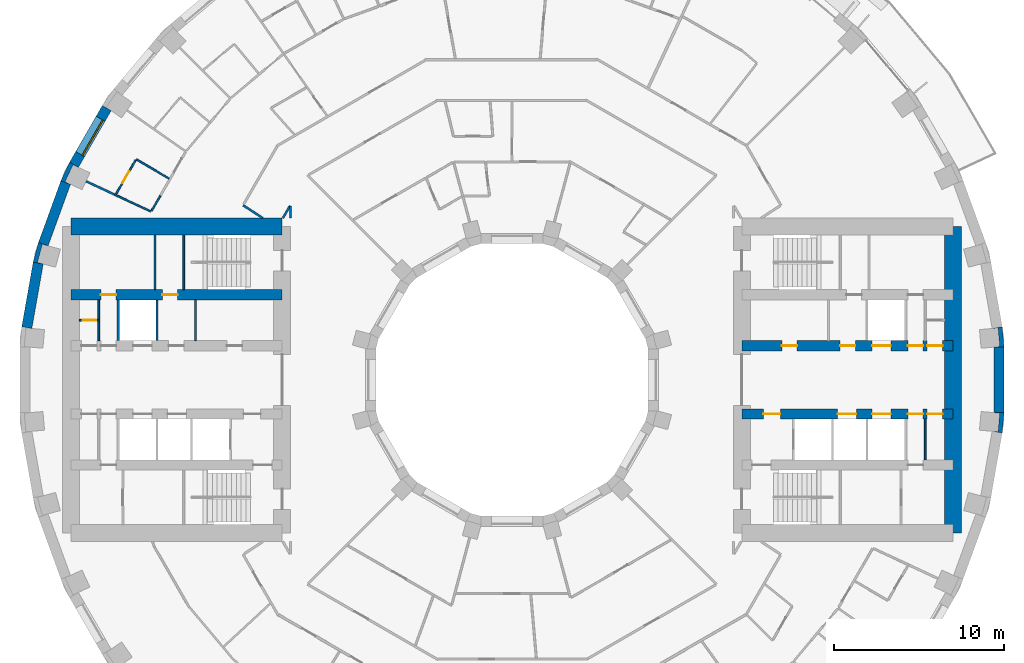
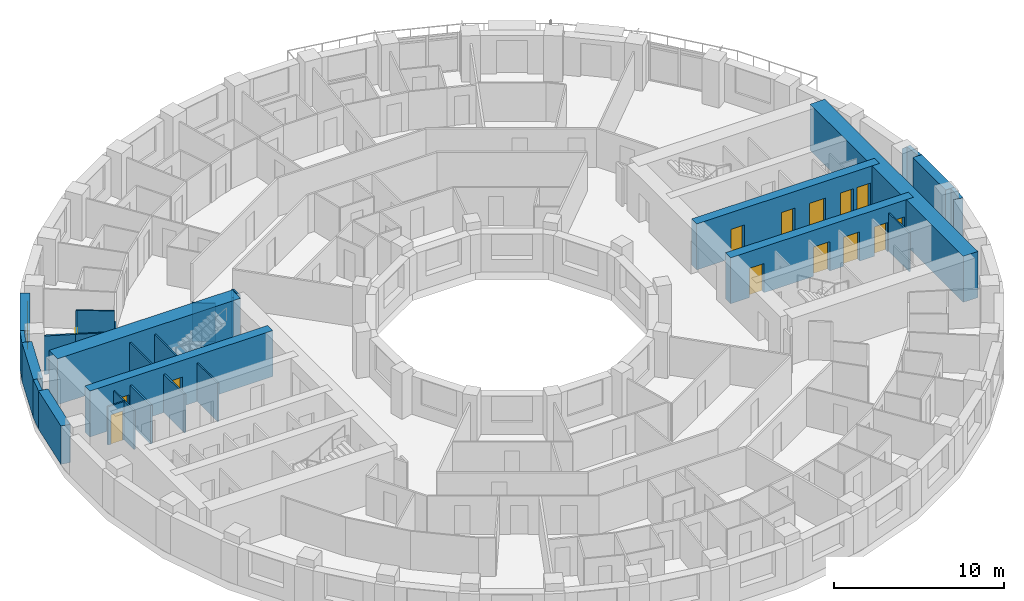
# One storey, part 9 of 15: 29 walls, 14 doors, 1 window, 15 openings.
"""IFC4 building model written with IfcOpenShell, lengths in metres."""

from ifc_helpers import new_model, si_unit, direction, frame, frame_2d, origin, place, context, subcontext, project, spatial, polyline, rectangle, outline, extrude, material, layer, layer_set, type_object, element, fill, save


model = new_model("IFC4")

# Units and contexts
model_context = context("Model", 3, precision=1e-05, world=origin(), true_north=direction((0.0, 1.0)))
body_context = subcontext(model_context, "Body", "Model", "MODEL_VIEW")
ifc_project = project(units=[si_unit("LENGTHUNIT", "METRE"), si_unit("AREAUNIT", "SQUARE_METRE"), si_unit("VOLUMEUNIT", "CUBIC_METRE"), si_unit("PLANEANGLEUNIT", "RADIAN"), si_unit("MASSUNIT", "GRAM", prefix="KILO")], contexts=[model_context])

# Site, building, storey
site_placement = place(None, origin())
site = spatial("IfcSite", under=ifc_project, at=site_placement, CompositionType="ELEMENT")
building_placement = place(site_placement, origin())
building = spatial("IfcBuilding", under=site, at=building_placement, Name="Saqina Gate Tower", CompositionType="ELEMENT")
storey_placement = place(building_placement, frame((0.0, 0.0, 69.199951171875)))
storey = spatial("IfcBuildingStorey", under=building, at=storey_placement, Name="L19", CompositionType="ELEMENT", Elevation=69.199951171875)

# Walls
ifc_material_1 = material(Name="Brick masonry (red)", Category="masonry")
wall_type_1 = type_object("IfcWallType", Name="BRICK PIER COPING RED", PredefinedType="SOLIDWALL", material=ifc_material_1)
wall_1_placement = place(storey_placement, origin())
element("IfcWall", 1, at=wall_1_placement, inside=storey, type_object=wall_type_1, Name="Pier cap L19 column 1", PredefinedType="SOLIDWALL", context=body_context, shape_type="SweptSolid", body=[
    extrude(outline(polyline([(28.8896484375, 1.9228515625), (28.78466796875, 3.122802734375), (28.19384765625, 3.018798828125), (28.54296875, 3.04931640625), (28.638671875, 1.95361328125), (28.28955078125, 1.9228515625), (28.8896484375, 1.9228515625)])), origin(), (0.0, 0.0, 1.0), 2.75),
])
wall_2_placement = place(storey_placement, origin())
element("IfcWall", 2, at=wall_2_placement, inside=storey, type_object=wall_type_1, Name="Pier cap L19 column 16", PredefinedType="SOLIDWALL", context=body_context, shape_type="SweptSolid", body=[
    extrude(outline(polyline([(-26.48974609375, 11.687744140625), (-25.92578125, 11.482666015625), (-26.243408203125, 11.630615234375), (-25.778564453125, 12.627685546875), (-25.4609375, 12.4794921875), (-25.980712890625, 12.779541015625), (-26.48974609375, 11.687744140625)])), origin(), (0.0, 0.0, 1.0), 2.75),
])
wall_3_placement = place(storey_placement, origin())
element("IfcWall", 3, at=wall_3_placement, inside=storey, type_object=wall_type_1, Name="Pier cap L19 column 17", PredefinedType="SOLIDWALL", context=body_context, shape_type="SweptSolid", body=[
    extrude(outline(polyline([(-28.11669921875, 6.910400390625), (-27.52587890625, 6.80615234375), (-27.864501953125, 6.896728515625), (-27.57958984375, 7.95947265625), (-27.2412109375, 7.86865234375), (-27.80517578125, 8.073974609375), (-28.11669921875, 6.910400390625)])), origin(), (0.0, 0.0, 1.0), 2.75),
])
wall_4_placement = place(storey_placement, origin())
element("IfcWall", 4, at=wall_4_placement, inside=storey, type_object=wall_type_1, Name="Pier cap L19 column 36", PredefinedType="SOLIDWALL", context=body_context, shape_type="SweptSolid", body=[
    extrude(outline(polyline([(28.78466796875, -3.122802734375), (28.8896484375, -1.9228515625), (28.28955078125, -1.9228515625), (28.638671875, -1.95361328125), (28.54296875, -3.04931640625), (28.19384765625, -3.018798828125), (28.78466796875, -3.122802734375)])), origin(), (0.0, 0.0, 1.0), 2.75),
])
ifc_material_2 = material(Name="Gypsum board on steel studs", Category="steel")
ifc_layer_1 = layer(ifc_material_2, 0.10009765625)
ifc_layer_set_1 = layer_set([ifc_layer_1], Name="CORE PARTITION")
wall_type_2 = type_object("IfcWallType", Name="CORE PARTITION", PredefinedType="PARTITIONING", material=ifc_layer_set_1)
for number, where, z_axis, x_axis, name in (
    (5, (24.260009765625, -4.699951171875, 0.0), (0.0, 0.0, 1.0), (0.0, 1.0, 0.0), "L19-CP-E09"),
    (6, (-18.582763671875, 2.300048828125, 0.0), (0.0, 0.0, 1.0), (0.0, 1.0, 0.0), "L19-CP-W01"),
    (7, (-24.260009765625, 2.300048828125, 0.0), (0.0, 0.0, 1.0), (0.0, 1.0, 0.0), "L19-CP-W04"),
):
    element("IfcWall", number, at=place(storey_placement, frame(where, z_axis=z_axis, x_axis=x_axis)), inside=storey, type_object=wall_type_2, Name=name, PredefinedType="PARTITIONING", context=body_context, shape_type="SweptSolid", body=[
        extrude(rectangle(XDim=2.39990234375, YDim=0.10009765625, at=frame_2d((1.199951171875, 0.0))), origin(), (0.0, 0.0, 1.0), 2.75),
    ])

# Wall, opening, door
wall_5_placement = place(storey_placement, frame((-24.260009765625, 3.5, 0.0), z_axis=(0.0, 0.0, 1.0), x_axis=(-1.0, 0.0, 0.0)))
wall_5 = element("IfcWall", 8, at=wall_5_placement, inside=storey, type_object=wall_type_2, Name="L19-CP-W10", PredefinedType="PARTITIONING", context=body_context, shape_type="SweptSolid", body=[
    extrude(rectangle(XDim=1.139892578125, YDim=0.10009765625, at=frame_2d((0.56982421875, 0.0))), origin(), (0.0, 0.0, 1.0), 2.75),
])
opening_1_placement = place(wall_5_placement, frame((0.14990234375, 0.0, 0.0)))
opening_1 = element("IfcOpeningElement", 9, at=opening_1_placement, cuts=wall_5, Name="Opening G05-D113", PredefinedType="OPENING", context=body_context, shape_type="SweptSolid", body=[
    extrude(rectangle(XDim=0.800048828125, YDim=2.10009765625, at=frame_2d((0.39990234375, 1.050048828125))), frame((0.0, 0.06201171875, 0.0), z_axis=(0.0, -1.0, 0.0), x_axis=(1.0, 0.0, 0.0)), (0.0, 0.0, 1.0), 0.1240234375),
])
ifc_material_3 = material(Name="Steel-framed fire door leaf, EI 60", Category="steel")
door_type_1 = type_object("IfcDoorType", Name="SERVICE ROOM DOOR 800", OperationType="SINGLE_SWING_LEFT", PredefinedType="DOOR", material=ifc_material_3)
door_1_placement = place(opening_1_placement, frame((0.800048828125, 0.0, 0.0), z_axis=(0.0, 0.0, 1.0), x_axis=(-1.0, 0.0, 0.0)))
door_1 = element("IfcDoor", 10, at=door_1_placement, inside=storey, type_object=door_type_1, Name="L19-CD-W24", OperationType="SINGLE_SWING_LEFT", OverallHeight=2.10009765625, OverallWidth=0.800048828125, PredefinedType="DOOR", context=body_context, shape_type="SweptSolid", body=[
    extrude(rectangle(XDim=0.800048828125, YDim=2.10009765625, at=frame_2d((0.39990234375, 1.050048828125))), frame((0.0, 0.02490234375, 0.0), z_axis=(0.0, -1.0, 0.0), x_axis=(1.0, 0.0, 0.0)), (0.0, 0.0, 1.0), 0.050048828125),
])
fill(opening_1, door_1)

# Wall
wall_6_placement = place(storey_placement, frame((-20.961669921875, 5.300048828125, 0.0), z_axis=(0.0, 0.0, 1.0), x_axis=(0.0, 1.0, 0.0)))
element("IfcWall", 11, at=wall_6_placement, inside=storey, type_object=wall_type_2, Name="L19-CP-W12", PredefinedType="PARTITIONING", context=body_context, shape_type="SweptSolid", body=[
    extrude(rectangle(XDim=3.199951171875, YDim=0.10009765625, at=frame_2d((1.60009765625, 0.0))), origin(), (0.0, 0.0, 1.0), 2.75),
])

# Wall, opening, window
ifc_material_4 = material(Name="Brick masonry (red)", Category="masonry")
ifc_layer_2 = layer(ifc_material_4, 0.60009765625)
ifc_layer_set_2 = layer_set([ifc_layer_2], Name="FW-BRICK-RED")
wall_type_3 = type_object("IfcWallType", Name="FW-BRICK-RED", PredefinedType="SOLIDWALL", material=ifc_layer_set_2)
wall_7_placement = place(storey_placement, frame((-23.7978515625, 15.960205078125, 0.0), z_axis=(0.0, 0.0, 1.0), x_axis=(-0.499989888488, -0.86603124159, 0.0)))
wall_7 = element("IfcWall", 12, at=wall_7_placement, inside=storey, type_object=wall_type_3, Name="Facade wall L19 facet 15", PredefinedType="SOLIDWALL", context=body_context, shape_type="SweptSolid", body=[
    extrude(rectangle(XDim=3.845703125, YDim=0.60009765625, at=frame_2d((1.9228515625, 0.0))), origin(), (0.0, 0.0, 1.0), 2.75),
])
opening_2_placement = place(wall_7_placement, frame((0.722900390625, 0.0, 0.89990234375)))
opening_2 = element("IfcOpeningElement", 13, at=opening_2_placement, cuts=wall_7, Name="Opening G05-W09", PredefinedType="OPENING", context=body_context, shape_type="SweptSolid", body=[
    extrude(rectangle(XDim=2.39990234375, YDim=1.800048828125, at=frame_2d((1.199951171875, 0.89990234375))), frame((0.0, 0.31201171875, 0.0), z_axis=(0.0, -1.0, 0.0), x_axis=(1.0, 0.0, 0.0)), (0.0, 0.0, 1.0), 0.6240234375),
])
ifc_material_5 = material(Name="Aluminium glazing", Category="aluminium")
window_type = type_object("IfcWindowType", Name="WN-A", PartitioningType="SINGLE_PANEL", PredefinedType="WINDOW", material=ifc_material_5)
window_placement = place(opening_2_placement, origin())
window = element("IfcWindow", 14, at=window_placement, inside=storey, type_object=window_type, Name="Window L19 facet 15", OverallHeight=1.800048828125, OverallWidth=2.39990234375, PartitioningType="SINGLE_PANEL", PredefinedType="WINDOW", context=body_context, shape_type="SweptSolid", body=[
    extrude(rectangle(XDim=2.39990234375, YDim=1.800048828125, at=frame_2d((1.199951171875, 0.89990234375))), frame((0.0, 0.179931640625, 0.0), z_axis=(0.0, -1.0, 0.0), x_axis=(1.0, 0.0, 0.0)), (0.0, 0.0, 1.0), 0.06005859375),
])
fill(opening_2, window)

# Walls
ifc_material_6 = material(Name="Glazed ceramic tile", Category="ceramic")
ifc_layer_3 = layer(ifc_material_6, 0.60009765625)
ifc_layer_set_3 = layer_set([ifc_layer_3], Name="FW-TILE")
wall_type_4 = type_object("IfcWallType", Name="FW-TILE", PredefinedType="SOLIDWALL", material=ifc_layer_set_3)
wall_8_placement = place(storey_placement, frame((-26.207763671875, 11.585205078125, 0.0), z_axis=(0.0, 0.0, 1.0), x_axis=(-0.342028474173, -0.939689588564, 0.0)))
element("IfcWall", 15, at=wall_8_placement, inside=storey, type_object=wall_type_4, Name="Facade wall L19 facet 16", PredefinedType="SOLIDWALL", context=body_context, shape_type="SweptSolid", body=[
    extrude(rectangle(XDim=3.845947265625, YDim=0.60009765625, at=frame_2d((1.9228515625, 0.0))), origin(), (0.0, 0.0, 1.0), 2.75),
])
wall_9_placement = place(storey_placement, frame((28.589599609375, -1.9228515625, 0.0), z_axis=(0.0, 0.0, 1.0), x_axis=(0.0, 1.0, 0.0)))
element("IfcWall", 16, at=wall_9_placement, inside=storey, type_object=wall_type_4, Name="Facade wall L19 facet 36", PredefinedType="SOLIDWALL", context=body_context, shape_type="SweptSolid", body=[
    extrude(rectangle(XDim=3.845703125, YDim=0.60009765625, at=frame_2d((1.9228515625, 0.0))), origin(), (0.0, 0.0, 1.0), 2.75),
])
ifc_material_7 = material(Name="Glazed ceramic tile (white)", Category="ceramic")
ifc_layer_4 = layer(ifc_material_7, 0.60009765625)
ifc_layer_set_4 = layer_set([ifc_layer_4], Name="FW-TILE-WH")
wall_type_5 = type_object("IfcWallType", Name="FW-TILE-WH", PredefinedType="SOLIDWALL", material=ifc_layer_set_4)
wall_10_placement = place(storey_placement, frame((-27.8212890625, 6.858154296875, 0.0), z_axis=(0.0, 0.0, 1.0), x_axis=(-0.173687553279, -0.984800809218, 0.0)))
element("IfcWall", 17, at=wall_10_placement, inside=storey, type_object=wall_type_5, Name="Facade wall L19 facet 17", PredefinedType="SOLIDWALL", context=body_context, shape_type="SweptSolid", body=[
    extrude(rectangle(XDim=3.845703125, YDim=0.60009765625, at=frame_2d((1.9228515625, 0.0))), origin(), (0.0, 0.0, 1.0), 2.75),
])
ifc_material_8 = material(Name="Gypsum board on steel studs, 100 mm", Category="steel")
ifc_layer_5 = layer(ifc_material_8, 0.10009765625)
ifc_layer_set_5 = layer_set([ifc_layer_5], Name="PARTITION 100")
wall_type_6 = type_object("IfcWallType", Name="PARTITION 100", PredefinedType="PARTITIONING", material=ifc_layer_set_5)
wall_11_placement = place(storey_placement, frame((-22.069091796875, 12.9541015625, 0.0), z_axis=(0.0, 0.0, 1.0), x_axis=(0.862374352329, -0.506271149134, 0.0)))
element("IfcWall", 18, at=wall_11_placement, inside=storey, type_object=wall_type_6, Name="PARTITION PW3-41", PredefinedType="PARTITIONING", context=body_context, shape_type="SweptSolid", body=[
    extrude(rectangle(XDim=2.237060546875, YDim=0.10009765625, at=frame_2d((1.11865234375, 0.0))), origin(), (0.0, 0.0, 1.0), 2.75),
])
wall_12_placement = place(storey_placement, frame((-23.326171875, 10.877197265625, 0.0), z_axis=(0.0, 0.0, 1.0), x_axis=(0.906293839501, -0.42264817104, 0.0)))
element("IfcWall", 19, at=wall_12_placement, inside=storey, type_object=wall_type_6, Name="PARTITION PW3-48", PredefinedType="PARTITIONING", context=body_context, shape_type="SweptSolid", body=[
    extrude(rectangle(XDim=2.309326171875, YDim=0.10009765625, at=frame_2d((1.15478515625, 0.0))), origin(), (0.0, 0.0, 1.0), 2.75),
])
wall_13_placement = place(storey_placement, frame((-21.1630859375, 9.92333984375, 0.0), z_axis=(0.0, 0.0, 1.0), x_axis=(0.499797427156, 0.866142327685, 0.0)))
element("IfcWall", 20, at=wall_13_placement, inside=storey, type_object=wall_type_6, Name="PARTITION PW3-99", PredefinedType="PARTITIONING", context=body_context, shape_type="SweptSolid", body=[
    extrude(rectangle(XDim=1.03369140625, YDim=0.10009765625, at=frame_2d((0.516845703125, 0.0))), origin(), (0.0, 0.0, 1.0), 2.75),
])

# Wall, opening, door
wall_14_placement = place(storey_placement, frame((-23.2548828125, 10.901123046875, 0.0), z_axis=(0.0, 0.0, 1.0), x_axis=(0.500223263977, 0.865896463889, 0.0)))
wall_14 = element("IfcWall", 21, at=wall_14_placement, inside=storey, type_object=wall_type_6, Name="PARTITION PW3-100", PredefinedType="PARTITIONING", context=body_context, shape_type="SweptSolid", body=[
    extrude(rectangle(XDim=2.32080078125, YDim=0.10009765625, at=frame_2d((1.160400390625, 0.0))), origin(), (0.0, 0.0, 1.0), 2.75),
])
opening_3_placement = place(wall_14_placement, frame((0.75927734375, 0.0, 0.0)))
opening_3 = element("IfcOpeningElement", 22, at=opening_3_placement, cuts=wall_14, Name="Opening G05-D35", PredefinedType="OPENING", context=body_context, shape_type="SweptSolid", body=[
    extrude(rectangle(XDim=0.800048828125, YDim=2.10009765625, at=frame_2d((0.39990234375, 1.050048828125))), frame((0.0, 0.06201171875, 0.0), z_axis=(0.0, -1.0, 0.0), x_axis=(1.0, 0.0, 0.0)), (0.0, 0.0, 1.0), 0.1240234375),
])
ifc_material_9 = material(Name="Timber door leaf, 800 mm", Category="wood")
door_type_2 = type_object("IfcDoorType", Name="DOOR 800 TIMBER", OperationType="SINGLE_SWING_LEFT", PredefinedType="DOOR", material=ifc_material_9)
door_2_placement = place(opening_3_placement, origin())
door_2 = element("IfcDoor", 23, at=door_2_placement, inside=storey, type_object=door_type_2, Name="DOOR G05-D35", OperationType="SINGLE_SWING_LEFT", OverallHeight=2.10009765625, OverallWidth=0.800048828125, PredefinedType="DOOR", context=body_context, shape_type="SweptSolid", body=[
    extrude(rectangle(XDim=0.800048828125, YDim=2.10009765625, at=frame_2d((0.39990234375, 1.050048828125))), frame((0.0, 0.02490234375, 0.0), z_axis=(0.0, -1.0, 0.0), x_axis=(1.0, 0.0, 0.0)), (0.0, 0.0, 1.0), 0.050048828125),
])
fill(opening_3, door_2)

# Walls
ifc_material_10 = material(Name="Gypsum board on steel studs, 125 mm, fire rated", Category="steel")
ifc_layer_6 = layer(ifc_material_10, 0.125)
ifc_layer_set_6 = layer_set([ifc_layer_6], Name="PARTITION EI 30 125")
wall_type_7 = type_object("IfcWallType", Name="PARTITION EI 30 125", PredefinedType="PARTITIONING", material=ifc_layer_set_6)
wall_15_placement = place(storey_placement, frame((-15.7890625, 10.2529296875, 0.0), z_axis=(0.0, 0.0, 1.0), x_axis=(0.838830573332, -0.544392569056, 0.0)))
element("IfcWall", 24, at=wall_15_placement, inside=storey, type_object=wall_type_7, Name="PARTITION PW1-07", PredefinedType="PARTITIONING", context=body_context, shape_type="SweptSolid", body=[
    extrude(rectangle(XDim=1.383056640625, YDim=0.125, at=frame_2d((0.69140625, 0.0))), origin(), (0.0, 0.0, 1.0), 2.75),
])
wall_16_placement = place(storey_placement, frame((-25.005126953125, 11.659912109375, 0.0), z_axis=(0.0, 0.0, 1.0), x_axis=(0.906348054162, -0.422531897869, 0.0)))
element("IfcWall", 25, at=wall_16_placement, inside=storey, type_object=wall_type_7, Name="PARTITION PW1-14", PredefinedType="PARTITIONING", context=body_context, shape_type="SweptSolid", body=[
    extrude(rectangle(XDim=1.8525390625, YDim=0.125, at=frame_2d((0.92626953125, 0.0))), origin(), (0.0, 0.0, 1.0), 2.75),
])
wall_17_placement = place(storey_placement, frame((-13.451904296875, 9.5, 0.0), z_axis=(0.0, 0.0, 1.0), x_axis=(0.49991670217, 0.866073490468, 0.0)))
element("IfcWall", 26, at=wall_17_placement, inside=storey, type_object=wall_type_7, Name="PARTITION PW1-49", PredefinedType="PARTITIONING", context=body_context, shape_type="SweptSolid", body=[
    extrude(rectangle(XDim=0.834228515625, YDim=0.125, at=frame_2d((0.4169921875, 0.0))), origin(), (0.0, 0.0, 1.0), 2.75),
])
wall_18_placement = place(storey_placement, frame((-13.0, 9.5, 0.0), z_axis=(0.0, 0.0, 1.0), x_axis=(0.0, 1.0, 0.0)))
element("IfcWall", 27, at=wall_18_placement, inside=storey, type_object=wall_type_7, Name="PARTITION PW1-56", PredefinedType="PARTITIONING", context=body_context, shape_type="SweptSolid", body=[
    extrude(rectangle(XDim=0.720458984375, YDim=0.125, at=frame_2d((0.3603515625, 0.0))), origin(), (0.0, 0.0, 1.0), 2.75),
])
ifc_material_11 = material(Name="Autoclaved aerated concrete block", Category="concrete")
ifc_layer_7 = layer(ifc_material_11, 0.1201171875)
ifc_layer_set_7 = layer_set([ifc_layer_7], Name="SHAFT PARTITION")
wall_type_8 = type_object("IfcWallType", Name="SHAFT PARTITION", PredefinedType="PARTITIONING", material=ifc_layer_set_7)
for number, where, z_axis, x_axis, name in (
    (28, (-20.840087890625, 2.300048828125, 0.0), (0.0, 0.0, 1.0), (0.0, 1.0, 0.0), "L19-CP-W02"),
    (29, (-23.1201171875, 2.300048828125, 0.0), (0.0, 0.0, 1.0), (0.0, 1.0, 0.0), "L19-CP-W03"),
):
    element("IfcWall", number, at=place(storey_placement, frame(where, z_axis=z_axis, x_axis=x_axis)), inside=storey, type_object=wall_type_8, Name=name, PredefinedType="PARTITIONING", context=body_context, shape_type="SweptSolid", body=[
        extrude(rectangle(XDim=2.39990234375, YDim=0.1201171875, at=frame_2d((1.199951171875, 0.0))), origin(), (0.0, 0.0, 1.0), 2.75),
    ])
ifc_material_12 = material(Name="Autoclaved aerated concrete block", Category="concrete")
ifc_layer_8 = layer(ifc_material_12, 0.10009765625)
ifc_layer_set_8 = layer_set([ifc_layer_8], Name="STAIR ENCLOSURE WALL")
wall_type_9 = type_object("IfcWallType", Name="STAIR ENCLOSURE WALL", PredefinedType="PARTITIONING", material=ifc_layer_set_8)
wall_19_placement = place(storey_placement, frame((-19.27001953125, 5.300048828125, 0.0), z_axis=(0.0, 0.0, 1.0), x_axis=(0.0, 1.0, 0.0)))
element("IfcWall", 30, at=wall_19_placement, inside=storey, type_object=wall_type_9, Name="L19-CP-W11", PredefinedType="PARTITIONING", context=body_context, shape_type="SweptSolid", body=[
    extrude(rectangle(XDim=3.199951171875, YDim=0.10009765625, at=frame_2d((1.60009765625, 0.0))), origin(), (0.0, 0.0, 1.0), 2.75),
])

# Wall, openings, doors
ifc_material_13 = material(Name="Concrete C70/85", Category="concrete")
ifc_layer_9 = layer(ifc_material_13, 0.60009765625)
ifc_layer_set_9 = layer_set([ifc_layer_9], Name="Concrete C70/85")
wall_type_10 = type_object("IfcWallType", Name="STR-CORE WALL-A-I", PredefinedType="SHEAR", material=ifc_layer_set_9)
wall_20_placement = place(storey_placement, frame((13.5, 2.0, 0.0), z_axis=(0.0, 0.0, 1.0), x_axis=(1.0, 0.0, 0.0)))
wall_20 = element("IfcWall", 31, at=wall_20_placement, inside=storey, type_object=wall_type_10, Name="CORE WALL L19 E-L1", PredefinedType="SHEAR", context=body_context, shape_type="SweptSolid", body=[
    extrude(rectangle(XDim=12.39990234375, YDim=0.60009765625, at=frame_2d((6.199951171875, 0.0))), origin(), (0.0, 0.0, 1.0), 3.300048828125),
])
opening_4_placement = place(wall_20_placement, frame((7.64990234375, 0.0, 0.0)))
opening_4 = element("IfcOpeningElement", 32, at=opening_4_placement, cuts=wall_20, Name="Opening G05-LD1", PredefinedType="OPENING", context=body_context, shape_type="SweptSolid", body=[
    extrude(rectangle(XDim=1.10009765625, YDim=2.10009765625, at=frame_2d((0.550048828125, 1.050048828125))), frame((0.0, 0.31201171875, 0.0), z_axis=(0.0, -1.0, 0.0), x_axis=(1.0, 0.0, 0.0)), (0.0, 0.0, 1.0), 0.6240234375),
])
opening_5_placement = place(wall_20_placement, frame((2.34130859375, 0.0, 0.0)))
opening_5 = element("IfcOpeningElement", 33, at=opening_5_placement, cuts=wall_20, Name="Opening G05-D90", PredefinedType="OPENING", context=body_context, shape_type="SweptSolid", body=[
    extrude(rectangle(XDim=0.89990234375, YDim=2.10009765625, at=frame_2d((0.449951171875, 1.050048828125))), frame((0.0, 0.31201171875, 0.0), z_axis=(0.0, -1.0, 0.0), x_axis=(1.0, 0.0, 0.0)), (0.0, 0.0, 1.0), 0.6240234375),
])
opening_6_placement = place(wall_20_placement, frame((5.761474609375, 0.0, 0.0)))
opening_6 = element("IfcOpeningElement", 34, at=opening_6_placement, cuts=wall_20, Name="Opening G05-D91", PredefinedType="OPENING", context=body_context, shape_type="SweptSolid", body=[
    extrude(rectangle(XDim=0.89990234375, YDim=2.10009765625, at=frame_2d((0.449951171875, 1.050048828125))), frame((0.0, 0.31201171875, 0.0), z_axis=(0.0, -1.0, 0.0), x_axis=(1.0, 0.0, 0.0)), (0.0, 0.0, 1.0), 0.6240234375),
])
opening_7_placement = place(wall_20_placement, frame((9.739990234375, 0.0, 0.0)))
opening_7 = element("IfcOpeningElement", 35, at=opening_7_placement, cuts=wall_20, Name="Opening G05-D92", PredefinedType="OPENING", context=body_context, shape_type="SweptSolid", body=[
    extrude(rectangle(XDim=0.89990234375, YDim=2.10009765625, at=frame_2d((0.449951171875, 1.050048828125))), frame((0.0, 0.31201171875, 0.0), z_axis=(0.0, -1.0, 0.0), x_axis=(1.0, 0.0, 0.0)), (0.0, 0.0, 1.0), 0.6240234375),
])
opening_8_placement = place(wall_20_placement, frame((10.8798828125, 0.0, 0.0)))
opening_8 = element("IfcOpeningElement", 36, at=opening_8_placement, cuts=wall_20, Name="Opening G05-D93", PredefinedType="OPENING", context=body_context, shape_type="SweptSolid", body=[
    extrude(rectangle(XDim=0.89990234375, YDim=2.10009765625, at=frame_2d((0.449951171875, 1.050048828125))), frame((0.0, 0.31201171875, 0.0), z_axis=(0.0, -1.0, 0.0), x_axis=(1.0, 0.0, 0.0)), (0.0, 0.0, 1.0), 0.6240234375),
])
ifc_material_14 = material(Name="Stainless steel", Category="steel")
door_type_3 = type_object("IfcDoorType", Name="LANDING DOOR", OperationType="DOUBLE_DOOR_SLIDING", PredefinedType="DOOR", material=ifc_material_14)
door_3_placement = place(opening_4_placement, origin())
door_3 = element("IfcDoor", 37, at=door_3_placement, inside=storey, type_object=door_type_3, Name="LANDING DOOR LR1", OperationType="DOUBLE_DOOR_SLIDING", OverallHeight=2.10009765625, OverallWidth=1.10009765625, PredefinedType="DOOR", context=body_context, shape_type="SweptSolid", body=[
    extrude(rectangle(XDim=1.10009765625, YDim=2.10009765625, at=frame_2d((0.550048828125, 1.050048828125))), frame((0.0, 0.02490234375, 0.0), z_axis=(0.0, -1.0, 0.0), x_axis=(1.0, 0.0, 0.0)), (0.0, 0.0, 1.0), 0.050048828125),
])
fill(opening_4, door_3)
ifc_material_15 = material(Name="Steel-framed fire door leaf, EI 60", Category="steel")
door_type_4 = type_object("IfcDoorType", Name="SERVICE ROOM DOOR 900", OperationType="SINGLE_SWING_LEFT", PredefinedType="DOOR", material=ifc_material_15)
door_4_placement = place(opening_5_placement, origin())
door_4 = element("IfcDoor", 38, at=door_4_placement, inside=storey, type_object=door_type_4, Name="L19-CD-E01", OperationType="SINGLE_SWING_LEFT", OverallHeight=2.10009765625, OverallWidth=0.89990234375, PredefinedType="DOOR", context=body_context, shape_type="SweptSolid", body=[
    extrude(rectangle(XDim=0.89990234375, YDim=2.10009765625, at=frame_2d((0.449951171875, 1.050048828125))), frame((0.0, 0.02490234375, 0.0), z_axis=(0.0, -1.0, 0.0), x_axis=(1.0, 0.0, 0.0)), (0.0, 0.0, 1.0), 0.050048828125),
])
fill(opening_5, door_4)
door_5_placement = place(opening_6_placement, origin())
door_5 = element("IfcDoor", 39, at=door_5_placement, inside=storey, type_object=door_type_4, Name="L19-CD-E02", OperationType="SINGLE_SWING_RIGHT", OverallHeight=2.10009765625, OverallWidth=0.89990234375, PredefinedType="DOOR", context=body_context, shape_type="SweptSolid", body=[
    extrude(rectangle(XDim=0.89990234375, YDim=2.10009765625, at=frame_2d((0.449951171875, 1.050048828125))), frame((0.0, 0.02490234375, 0.0), z_axis=(0.0, -1.0, 0.0), x_axis=(1.0, 0.0, 0.0)), (0.0, 0.0, 1.0), 0.050048828125),
])
fill(opening_6, door_5)
door_6_placement = place(opening_7_placement, origin())
door_6 = element("IfcDoor", 40, at=door_6_placement, inside=storey, type_object=door_type_4, Name="L19-CD-E03", OperationType="SINGLE_SWING_LEFT", OverallHeight=2.10009765625, OverallWidth=0.89990234375, PredefinedType="DOOR", context=body_context, shape_type="SweptSolid", body=[
    extrude(rectangle(XDim=0.89990234375, YDim=2.10009765625, at=frame_2d((0.449951171875, 1.050048828125))), frame((0.0, 0.02490234375, 0.0), z_axis=(0.0, -1.0, 0.0), x_axis=(1.0, 0.0, 0.0)), (0.0, 0.0, 1.0), 0.050048828125),
])
fill(opening_7, door_6)
door_7_placement = place(opening_8_placement, origin())
door_7 = element("IfcDoor", 41, at=door_7_placement, inside=storey, type_object=door_type_4, Name="L19-CD-E04", OperationType="SINGLE_SWING_RIGHT", OverallHeight=2.10009765625, OverallWidth=0.89990234375, PredefinedType="DOOR", context=body_context, shape_type="SweptSolid", body=[
    extrude(rectangle(XDim=0.89990234375, YDim=2.10009765625, at=frame_2d((0.449951171875, 1.050048828125))), frame((0.0, 0.02490234375, 0.0), z_axis=(0.0, -1.0, 0.0), x_axis=(1.0, 0.0, 0.0)), (0.0, 0.0, 1.0), 0.050048828125),
])
fill(opening_8, door_7)

wall_21_placement = place(storey_placement, frame((13.5, -2.0, 0.0), z_axis=(0.0, 0.0, 1.0), x_axis=(1.0, 0.0, 0.0)))
wall_21 = element("IfcWall", 42, at=wall_21_placement, inside=storey, type_object=wall_type_10, Name="CORE WALL L19 E-L2", PredefinedType="SHEAR", context=body_context, shape_type="SweptSolid", body=[
    extrude(rectangle(XDim=12.39990234375, YDim=0.60009765625, at=frame_2d((6.199951171875, 0.0))), origin(), (0.0, 0.0, 1.0), 3.300048828125),
])
opening_9_placement = place(wall_21_placement, frame((5.6201171875, 0.0, 0.0)))
opening_9 = element("IfcOpeningElement", 43, at=opening_9_placement, cuts=wall_21, Name="Opening G05-LD3", PredefinedType="OPENING", context=body_context, shape_type="SweptSolid", body=[
    extrude(rectangle(XDim=1.10009765625, YDim=2.10009765625, at=frame_2d((0.550048828125, 1.050048828125))), frame((0.0, 0.31201171875, 0.0), z_axis=(0.0, -1.0, 0.0), x_axis=(1.0, 0.0, 0.0)), (0.0, 0.0, 1.0), 0.6240234375),
])
opening_10_placement = place(wall_21_placement, frame((7.64990234375, 0.0, 0.0)))
opening_10 = element("IfcOpeningElement", 44, at=opening_10_placement, cuts=wall_21, Name="Opening G05-LD4", PredefinedType="OPENING", context=body_context, shape_type="SweptSolid", body=[
    extrude(rectangle(XDim=1.10009765625, YDim=2.10009765625, at=frame_2d((0.550048828125, 1.050048828125))), frame((0.0, 0.31201171875, 0.0), z_axis=(0.0, -1.0, 0.0), x_axis=(1.0, 0.0, 0.0)), (0.0, 0.0, 1.0), 0.6240234375),
])
opening_11_placement = place(wall_21_placement, frame((1.264892578125, 0.0, 0.0)))
opening_11 = element("IfcOpeningElement", 45, at=opening_11_placement, cuts=wall_21, Name="Opening G05-D94", PredefinedType="OPENING", context=body_context, shape_type="SweptSolid", body=[
    extrude(rectangle(XDim=1.0, YDim=2.10009765625, at=frame_2d((0.5, 1.050048828125))), frame((0.0, 0.31201171875, 0.0), z_axis=(0.0, -1.0, 0.0), x_axis=(1.0, 0.0, 0.0)), (0.0, 0.0, 1.0), 0.6240234375),
])
opening_12_placement = place(wall_21_placement, frame((9.739990234375, 0.0, 0.0)))
opening_12 = element("IfcOpeningElement", 46, at=opening_12_placement, cuts=wall_21, Name="Opening G05-D95", PredefinedType="OPENING", context=body_context, shape_type="SweptSolid", body=[
    extrude(rectangle(XDim=0.89990234375, YDim=2.10009765625, at=frame_2d((0.449951171875, 1.050048828125))), frame((0.0, 0.31201171875, 0.0), z_axis=(0.0, -1.0, 0.0), x_axis=(1.0, 0.0, 0.0)), (0.0, 0.0, 1.0), 0.6240234375),
])
opening_13_placement = place(wall_21_placement, frame((10.8798828125, 0.0, 0.0)))
opening_13 = element("IfcOpeningElement", 47, at=opening_13_placement, cuts=wall_21, Name="Opening G05-D96", PredefinedType="OPENING", context=body_context, shape_type="SweptSolid", body=[
    extrude(rectangle(XDim=0.89990234375, YDim=2.10009765625, at=frame_2d((0.449951171875, 1.050048828125))), frame((0.0, 0.31201171875, 0.0), z_axis=(0.0, -1.0, 0.0), x_axis=(1.0, 0.0, 0.0)), (0.0, 0.0, 1.0), 0.6240234375),
])
ifc_material_16 = material(Name="Steel", Category="steel")
door_type_5 = type_object("IfcDoorType", Name="FIRE LOBBY DOOR EI 60", OperationType="SINGLE_SWING_LEFT", PredefinedType="DOOR", material=ifc_material_16)
door_8_placement = place(opening_11_placement, origin())
door_8 = element("IfcDoor", 48, at=door_8_placement, inside=storey, type_object=door_type_5, Name="L19-CD-E05", OperationType="SINGLE_SWING_LEFT", OverallHeight=2.10009765625, OverallWidth=1.0, PredefinedType="DOOR", context=body_context, shape_type="SweptSolid", body=[
    extrude(rectangle(XDim=1.0, YDim=2.10009765625, at=frame_2d((0.5, 1.050048828125))), frame((0.0, 0.02490234375, 0.0), z_axis=(0.0, -1.0, 0.0), x_axis=(1.0, 0.0, 0.0)), (0.0, 0.0, 1.0), 0.050048828125),
])
fill(opening_11, door_8)
door_9_placement = place(opening_9_placement, origin())
door_9 = element("IfcDoor", 49, at=door_9_placement, inside=storey, type_object=door_type_3, Name="LANDING DOOR LR3", OperationType="DOUBLE_DOOR_SLIDING", OverallHeight=2.10009765625, OverallWidth=1.10009765625, PredefinedType="DOOR", context=body_context, shape_type="SweptSolid", body=[
    extrude(rectangle(XDim=1.10009765625, YDim=2.10009765625, at=frame_2d((0.550048828125, 1.050048828125))), frame((0.0, 0.02490234375, 0.0), z_axis=(0.0, -1.0, 0.0), x_axis=(1.0, 0.0, 0.0)), (0.0, 0.0, 1.0), 0.050048828125),
])
fill(opening_9, door_9)
door_10_placement = place(opening_10_placement, origin())
door_10 = element("IfcDoor", 50, at=door_10_placement, inside=storey, type_object=door_type_3, Name="LANDING DOOR LR2", OperationType="DOUBLE_DOOR_SLIDING", OverallHeight=2.10009765625, OverallWidth=1.10009765625, PredefinedType="DOOR", context=body_context, shape_type="SweptSolid", body=[
    extrude(rectangle(XDim=1.10009765625, YDim=2.10009765625, at=frame_2d((0.550048828125, 1.050048828125))), frame((0.0, 0.02490234375, 0.0), z_axis=(0.0, -1.0, 0.0), x_axis=(1.0, 0.0, 0.0)), (0.0, 0.0, 1.0), 0.050048828125),
])
fill(opening_10, door_10)
door_11_placement = place(opening_12_placement, frame((0.89990234375, 0.0, 0.0), z_axis=(0.0, 0.0, 1.0), x_axis=(-1.0, 0.0, 0.0)))
door_11 = element("IfcDoor", 51, at=door_11_placement, inside=storey, type_object=door_type_4, Name="L19-CD-E06", OperationType="SINGLE_SWING_RIGHT", OverallHeight=2.10009765625, OverallWidth=0.89990234375, PredefinedType="DOOR", context=body_context, shape_type="SweptSolid", body=[
    extrude(rectangle(XDim=0.89990234375, YDim=2.10009765625, at=frame_2d((0.449951171875, 1.050048828125))), frame((0.0, 0.02490234375, 0.0), z_axis=(0.0, -1.0, 0.0), x_axis=(1.0, 0.0, 0.0)), (0.0, 0.0, 1.0), 0.050048828125),
])
fill(opening_12, door_11)
door_12_placement = place(opening_13_placement, frame((0.89990234375, 0.0, 0.0), z_axis=(0.0, 0.0, 1.0), x_axis=(-1.0, 0.0, 0.0)))
door_12 = element("IfcDoor", 52, at=door_12_placement, inside=storey, type_object=door_type_4, Name="L19-CD-E07", OperationType="SINGLE_SWING_LEFT", OverallHeight=2.10009765625, OverallWidth=0.89990234375, PredefinedType="DOOR", context=body_context, shape_type="SweptSolid", body=[
    extrude(rectangle(XDim=0.89990234375, YDim=2.10009765625, at=frame_2d((0.449951171875, 1.050048828125))), frame((0.0, 0.02490234375, 0.0), z_axis=(0.0, -1.0, 0.0), x_axis=(1.0, 0.0, 0.0)), (0.0, 0.0, 1.0), 0.050048828125),
])
fill(opening_13, door_12)

wall_22_placement = place(storey_placement, frame((-13.5, 5.0, 0.0), z_axis=(0.0, 0.0, 1.0), x_axis=(-1.0, 0.0, 0.0)))
wall_22 = element("IfcWall", 53, at=wall_22_placement, inside=storey, type_object=wall_type_10, Name="CORE WALL L19 W-X1", PredefinedType="SHEAR", context=body_context, shape_type="SweptSolid", body=[
    extrude(rectangle(XDim=12.39990234375, YDim=0.60009765625, at=frame_2d((6.199951171875, 0.0))), origin(), (0.0, 0.0, 1.0), 3.300048828125),
])
opening_14_placement = place(wall_22_placement, frame((6.1298828125, 0.0, 0.0)))
opening_14 = element("IfcOpeningElement", 54, at=opening_14_placement, cuts=wall_22, Name="Opening G05-D114", PredefinedType="OPENING", context=body_context, shape_type="SweptSolid", body=[
    extrude(rectangle(XDim=0.89990234375, YDim=2.10009765625, at=frame_2d((0.449951171875, 1.050048828125))), frame((0.0, 0.31201171875, 0.0), z_axis=(0.0, -1.0, 0.0), x_axis=(1.0, 0.0, 0.0)), (0.0, 0.0, 1.0), 0.6240234375),
])
opening_15_placement = place(wall_22_placement, frame((9.739990234375, 0.0, 0.0)))
opening_15 = element("IfcOpeningElement", 55, at=opening_15_placement, cuts=wall_22, Name="Opening G05-D115", PredefinedType="OPENING", context=body_context, shape_type="SweptSolid", body=[
    extrude(rectangle(XDim=0.89990234375, YDim=2.10009765625, at=frame_2d((0.449951171875, 1.050048828125))), frame((0.0, 0.31201171875, 0.0), z_axis=(0.0, -1.0, 0.0), x_axis=(1.0, 0.0, 0.0)), (0.0, 0.0, 1.0), 0.6240234375),
])
door_13_placement = place(opening_14_placement, origin())
door_13 = element("IfcDoor", 56, at=door_13_placement, inside=storey, type_object=door_type_4, Name="L19-CD-W25", OperationType="SINGLE_SWING_RIGHT", OverallHeight=2.10009765625, OverallWidth=0.89990234375, PredefinedType="DOOR", context=body_context, shape_type="SweptSolid", body=[
    extrude(rectangle(XDim=0.89990234375, YDim=2.10009765625, at=frame_2d((0.449951171875, 1.050048828125))), frame((0.0, 0.02490234375, 0.0), z_axis=(0.0, -1.0, 0.0), x_axis=(1.0, 0.0, 0.0)), (0.0, 0.0, 1.0), 0.050048828125),
])
fill(opening_14, door_13)
door_14_placement = place(opening_15_placement, frame((0.89990234375, 0.0, 0.0), z_axis=(0.0, 0.0, 1.0), x_axis=(-1.0, 0.0, 0.0)))
door_14 = element("IfcDoor", 57, at=door_14_placement, inside=storey, type_object=door_type_4, Name="L19-CD-W26", OperationType="SINGLE_SWING_LEFT", OverallHeight=2.10009765625, OverallWidth=0.89990234375, PredefinedType="DOOR", context=body_context, shape_type="SweptSolid", body=[
    extrude(rectangle(XDim=0.89990234375, YDim=2.10009765625, at=frame_2d((0.449951171875, 1.050048828125))), frame((0.0, 0.02490234375, 0.0), z_axis=(0.0, -1.0, 0.0), x_axis=(1.0, 0.0, 0.0)), (0.0, 0.0, 1.0), 0.050048828125),
])
fill(opening_15, door_14)

# Walls
ifc_material_17 = material(Name="Concrete C70/85", Category="concrete")
ifc_layer_10 = layer(ifc_material_17, 1.0)
ifc_layer_set_10 = layer_set([ifc_layer_10], Name="Concrete C70/85")
wall_type_11 = type_object("IfcWallType", Name="STR-CORE WALL-A-O", PredefinedType="SHEAR", material=ifc_layer_set_10)
wall_23_placement = place(storey_placement, frame((25.89990234375, -9.0, 0.0), z_axis=(0.0, 0.0, 1.0), x_axis=(0.0, 1.0, 0.0)))
element("IfcWall", 58, at=wall_23_placement, inside=storey, type_object=wall_type_11, Name="CORE WALL L19 E-W2", PredefinedType="SHEAR", context=body_context, shape_type="SweptSolid", body=[
    extrude(rectangle(XDim=18.0, YDim=1.0, at=frame_2d((9.0, 0.0))), origin(), (0.0, 0.0, 1.0), 3.300048828125),
])
wall_24_placement = place(storey_placement, frame((-13.5, 9.0, 0.0), z_axis=(0.0, 0.0, 1.0), x_axis=(-1.0, 0.0, 0.0)))
element("IfcWall", 59, at=wall_24_placement, inside=storey, type_object=wall_type_11, Name="CORE WALL L19 W-NE", PredefinedType="SHEAR", context=body_context, shape_type="SweptSolid", body=[
    extrude(rectangle(XDim=12.39990234375, YDim=1.0, at=frame_2d((6.199951171875, 0.0))), origin(), (0.0, 0.0, 1.0), 3.300048828125),
])

save(model, "model.ifc")
